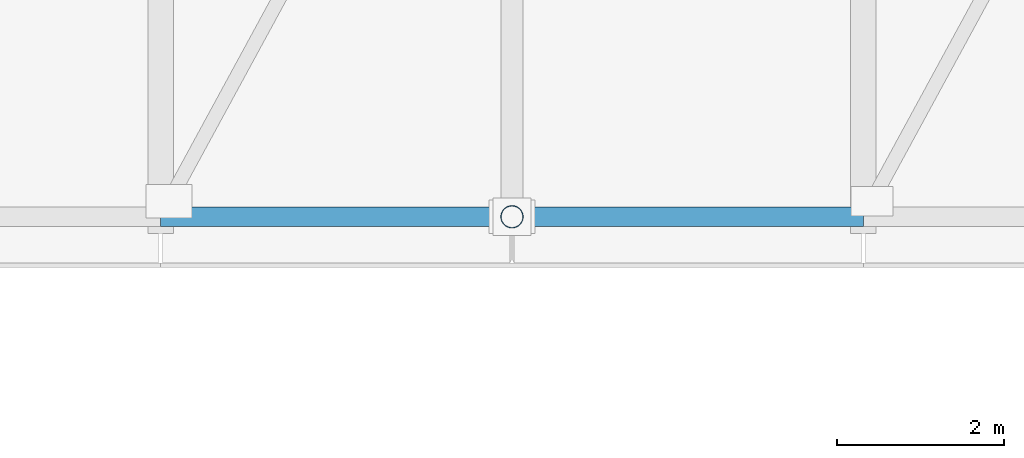
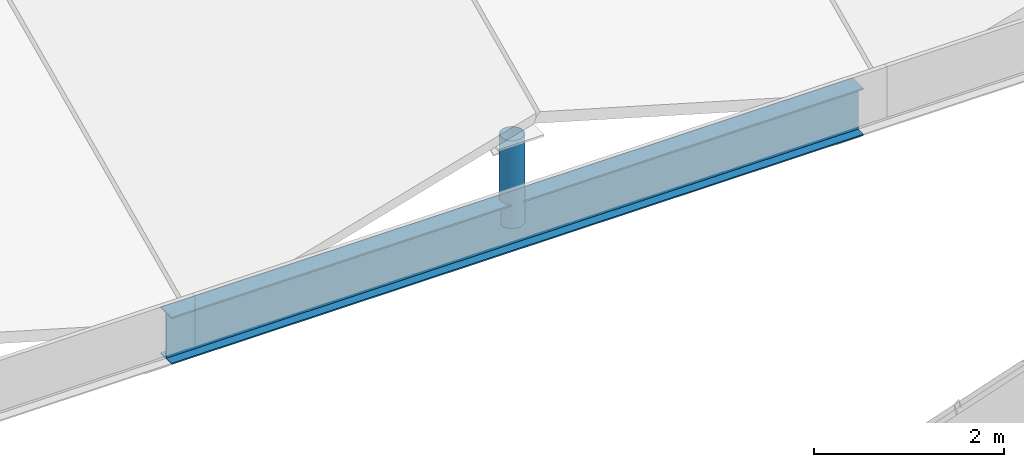
# One storey, part 30 of 184: 1 beam, 1 member.
"""IFC4 building model written with IfcOpenShell, lengths in metres."""

from ifc_helpers import new_model, si_unit, direction, frame, origin, origin_2d, place, context, subcontext, project, spatial, hollow_circle, i_section, extrude, material, material_profile, profile_set, type_object, element, save


model = new_model("IFC4")

# Units and contexts
model_context = context("Model", 3, precision=1e-05, world=origin(), true_north=direction((0.0, 1.0)))
body_context = subcontext(model_context, "Body", "Model", "MODEL_VIEW")
ifc_project = project(units=[si_unit("LENGTHUNIT", "METRE"), si_unit("AREAUNIT", "SQUARE_METRE"), si_unit("VOLUMEUNIT", "CUBIC_METRE"), si_unit("PLANEANGLEUNIT", "RADIAN"), si_unit("MASSUNIT", "GRAM", prefix="KILO")], contexts=[model_context])

# Site, building, storey
site_placement = place(None, origin())
site = spatial("IfcSite", under=ifc_project, at=site_placement, CompositionType="ELEMENT")
building_placement = place(site_placement, origin())
building = spatial("IfcBuilding", under=site, at=building_placement, Name="Selatvlak General Hospital", CompositionType="ELEMENT")
storey_placement = place(building_placement, frame((0.0, 0.0, 15.0)))
storey = spatial("IfcBuildingStorey", under=building, at=storey_placement, Name="L03", CompositionType="ELEMENT", Elevation=15.0)

# Beam
ifc_material = material(Name="Steel S355", Category="steel")
ifc_material_profile_1 = material_profile(ifc_material, i_section(OverallWidth=0.228271484375, OverallDepth=0.607666015625, WebThickness=0.010986328125, FlangeThickness=0.017333984375, at=origin_2d()), Name="UB 610x229x113")
ifc_profile_set_1 = profile_set([ifc_material_profile_1], Name="Steel S355")
beam_type = type_object("IfcBeamType", Name="BM-RF4", PredefinedType="BEAM", material=ifc_profile_set_1)
beam_placement = place(storey_placement, frame((39.60009765625, 52.550048828125, -0.529052734375), z_axis=(1.0, 0.0, 0.0), x_axis=(0.0, 1.0, 0.0)))
element("IfcBeam", 1, at=beam_placement, inside=storey, type_object=beam_type, Name="Folded roof S valley girder 3", PredefinedType="BEAM", context=body_context, shape_type="SweptSolid", body=[
    extrude(i_section(OverallWidth=0.228271484375, OverallDepth=0.607666015625, WebThickness=0.010986328125, FlangeThickness=0.017333984375, at=origin_2d()), origin(), (0.0, 0.0, 1.0), 8.39990234375),
])

# Member
ifc_material_profile_2 = material_profile(ifc_material, hollow_circle(Radius=0.136474609375, WallThickness=0.010009765625, at=origin_2d()), Name="CHS 273.0x10")
ifc_profile_set_2 = profile_set([ifc_material_profile_2], Name="Steel S355")
member_type = type_object("IfcMemberType", Name="MEM-ST1", PredefinedType="STRUT", material=ifc_profile_set_2)
member_placement = place(storey_placement, frame((43.800048828125, 52.550048828125, -0.529052734375), z_axis=(0.0, 0.0, 1.0), x_axis=(1.0, 0.0, 0.0)))
element("IfcMember", 2, at=member_placement, inside=storey, type_object=member_type, Name="Folded roof ridge kingpost S-5", PredefinedType="STRUT", context=body_context, shape_type="SweptSolid", body=[
    extrude(hollow_circle(Radius=0.136474609375, WallThickness=0.010009765625, at=origin_2d()), origin(), (0.0, 0.0, 1.0), 1.123046875),
])

save(model, "model.ifc")
